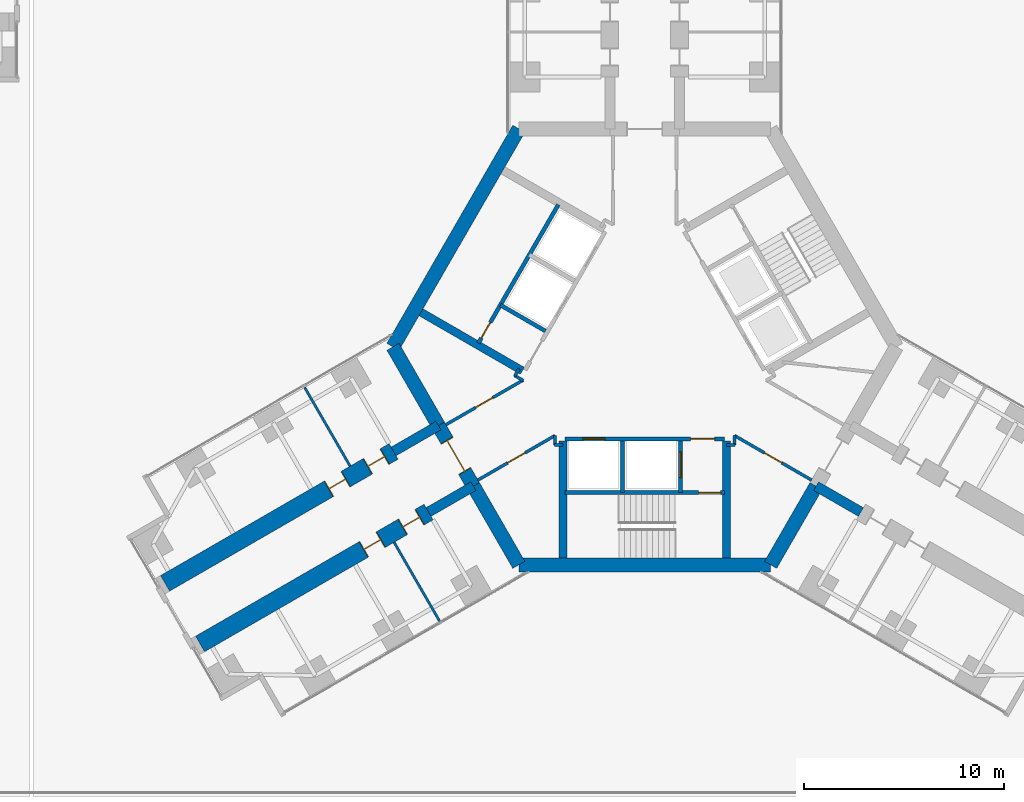
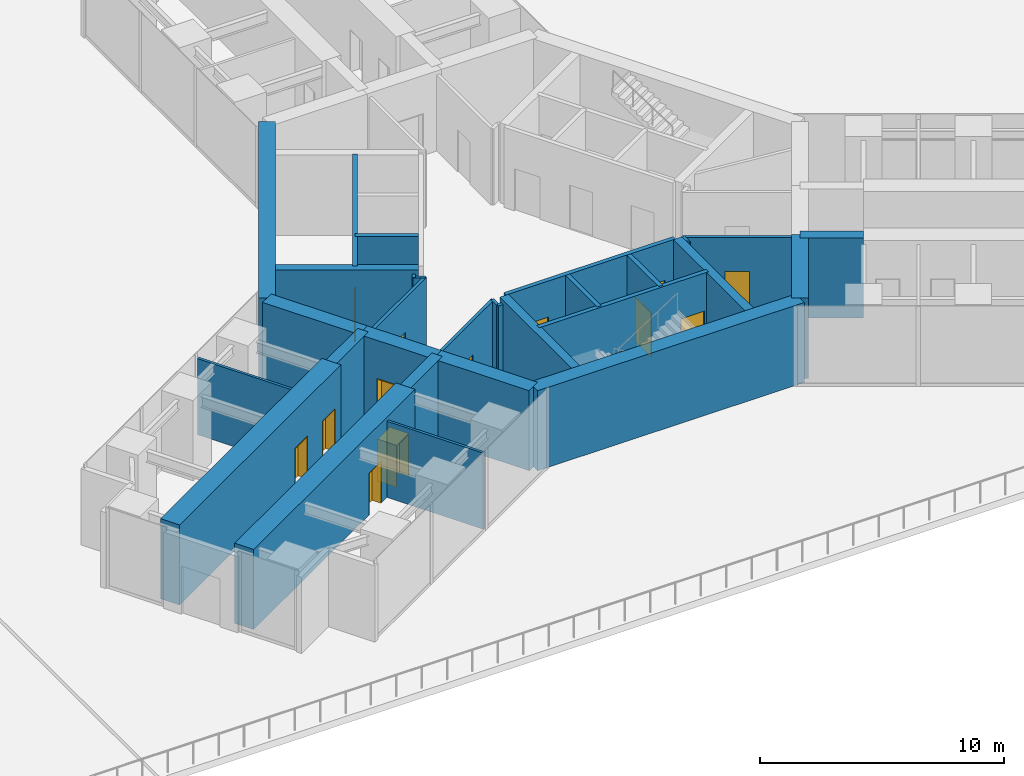
# One storey, part 16 of 23: 31 walls, 13 doors, 13 openings.
"""IFC4 building model written with IfcOpenShell, lengths in metres."""

from ifc_helpers import new_model, si_unit, direction, frame, frame_2d, origin, place, context, subcontext, project, spatial, rectangle, extrude, material, layer, layer_set, type_object, element, fill, save


model = new_model("IFC4")

# Units and contexts
model_context = context("Model", 3, precision=1e-05, world=origin(), true_north=direction((0.0, 1.0)))
body_context = subcontext(model_context, "Body", "Model", "MODEL_VIEW")
ifc_project = project(units=[si_unit("LENGTHUNIT", "METRE"), si_unit("AREAUNIT", "SQUARE_METRE"), si_unit("VOLUMEUNIT", "CUBIC_METRE"), si_unit("PLANEANGLEUNIT", "RADIAN"), si_unit("MASSUNIT", "GRAM", prefix="KILO")], contexts=[model_context])

# Site, building, storey
site_placement = place(None, origin())
site = spatial("IfcSite", under=ifc_project, at=site_placement, CompositionType="ELEMENT")
building_placement = place(site_placement, origin())
building = spatial("IfcBuilding", under=site, at=building_placement, Name="Upepo Twin Towers", CompositionType="ELEMENT")
storey_placement = place(building_placement, frame((0.0, 0.0, 20.5)))
storey = spatial("IfcBuildingStorey", under=building, at=storey_placement, Name="L04", CompositionType="ELEMENT", Elevation=20.5)

# Walls
ifc_material_1 = material(Name="Concrete C60/75", Category="concrete")
ifc_layer_1 = layer(ifc_material_1, 0.5)
ifc_layer_set_1 = layer_set([ifc_layer_1], Name="Concrete C60/75")
wall_type_1 = type_object("IfcWallType", Name="Buttress wall 500 RC", PredefinedType="SHEAR", material=ifc_layer_set_1)
for number, where, z_axis, x_axis, name in (
    (1, (49.92822265625, -24.9697265625, 0.0), (0.0, 0.0, 1.0), (-0.866031863473, -0.499988811324, 0.0), "T2 wing B buttress wall L"),
    (2, (48.17822265625, -21.938720703125, 0.0), (0.0, 0.0, 1.0), (-0.866072649678, -0.499918158782, 0.0), "T2 wing B buttress wall R"),
    (3, (67.07177734375, -24.9697265625, 0.0), (0.0, 0.0, 1.0), (0.866031863473, -0.499988811324, 0.0), "T2 wing C buttress wall R"),
):
    element("IfcWall", number, at=place(storey_placement, frame(where, z_axis=z_axis, x_axis=x_axis)), inside=storey, type_object=wall_type_1, Name=name, PredefinedType="SHEAR", context=body_context, shape_type="SweptSolid", body=[
        extrude(rectangle(XDim=2.591796875, YDim=0.5, at=frame_2d((1.2958984375, 0.0))), origin(), (0.0, 0.0, 1.0), 4.0),
    ])

# Wall, openings, doors
ifc_material_2 = material(Name="Concrete C60/75", Category="concrete")
ifc_layer_2 = layer(ifc_material_2, 0.89990234375)
ifc_layer_set_2 = layer_set([ifc_layer_2], Name="Concrete C60/75")
wall_type_2 = type_object("IfcWallType", Name="Buttress wall 900 RC", PredefinedType="SHEAR", material=ifc_layer_set_2)
wall_1_placement = place(storey_placement, frame((47.68359375, -26.265625, 0.0), z_axis=(0.0, 0.0, 1.0), x_axis=(-0.866027579429, -0.499996231654, 0.0)))
wall_1 = element("IfcWall", 4, at=wall_1_placement, inside=storey, type_object=wall_type_2, Name="T2 wing B buttress wall L part 2", PredefinedType="SHEAR", context=body_context, shape_type="SweptSolid", body=[
    extrude(rectangle(XDim=13.19970703125, YDim=0.89990234375, at=frame_2d((6.599853515625, 0.0))), origin(), (0.0, 0.0, 1.0), 4.0),
])
opening_1_placement = place(wall_1_placement, frame((0.5, 0.0, 0.0)))
opening_1 = element("IfcOpeningElement", 5, at=opening_1_placement, cuts=wall_1, Name="Opening D15", PredefinedType="OPENING", context=body_context, shape_type="SweptSolid", body=[
    extrude(rectangle(XDim=1.0, YDim=2.10009765625, at=frame_2d((0.5, 1.050048828125))), frame((0.0, 0.4599609375, 0.0), z_axis=(0.0, -1.0, 0.0), x_axis=(1.0, 0.0, 0.0)), (0.0, 0.0, 1.0), 0.919921875),
])
opening_2_placement = place(wall_1_placement, frame((2.75, 0.0, 0.0)))
opening_2 = element("IfcOpeningElement", 6, at=opening_2_placement, cuts=wall_1, Name="Opening D15", PredefinedType="OPENING", context=body_context, shape_type="SweptSolid", body=[
    extrude(rectangle(XDim=1.0, YDim=2.10009765625, at=frame_2d((0.5, 1.050048828125))), frame((0.0, 0.4599609375, 0.0), z_axis=(0.0, -1.0, 0.0), x_axis=(1.0, 0.0, 0.0)), (0.0, 0.0, 1.0), 0.919921875),
])
ifc_material_3 = material(Name="Timber doorset", Category="wood")
door_type_1 = type_object("IfcDoorType", Name="Glazed door 1000 FD30", OperationType="SINGLE_SWING_LEFT", PredefinedType="DOOR", material=ifc_material_3)
door_1_placement = place(opening_1_placement, origin())
door_1 = element("IfcDoor", 7, at=door_1_placement, inside=storey, type_object=door_type_1, Name="T2 L04 seminar room door", OperationType="SINGLE_SWING_LEFT", OverallHeight=2.10009765625, OverallWidth=1.0, PredefinedType="DOOR", context=body_context, shape_type="SweptSolid", body=[
    extrude(rectangle(XDim=0.92, YDim=2.06009765625, at=frame_2d((0.5, 1.030029296875))), frame((0.0, 0.02490234375, 0.0), z_axis=(0.0, -1.0, 0.0), x_axis=(1.0, 0.0, 0.0)), (0.0, 0.0, 1.0), 0.050048828125),
    extrude(rectangle(XDim=0.04, YDim=2.10009765625, at=frame_2d((0.02001953125, 1.050048828125))), frame((0.0, 0.44970703125, 0.0), z_axis=(0.0, -1.0, 0.0), x_axis=(1.0, 0.0, 0.0)), (0.0, 0.0, 1.0), 0.8994140625),
    extrude(rectangle(XDim=0.04, YDim=2.10009765625, at=frame_2d((0.97998046875, 1.050048828125))), frame((0.0, 0.44970703125, 0.0), z_axis=(0.0, -1.0, 0.0), x_axis=(1.0, 0.0, 0.0)), (0.0, 0.0, 1.0), 0.8994140625),
    extrude(rectangle(XDim=0.92, YDim=0.04, at=frame_2d((0.5, 2.080078125))), frame((0.0, 0.44970703125, 0.0), z_axis=(0.0, -1.0, 0.0), x_axis=(1.0, 0.0, 0.0)), (0.0, 0.0, 1.0), 0.8994140625),
])
fill(opening_1, door_1)
door_2_placement = place(opening_2_placement, origin())
door_2 = element("IfcDoor", 8, at=door_2_placement, inside=storey, type_object=door_type_1, Name="T2 L04 student sky lounge door", OperationType="SINGLE_SWING_LEFT", OverallHeight=2.10009765625, OverallWidth=1.0, PredefinedType="DOOR", context=body_context, shape_type="SweptSolid", body=[
    extrude(rectangle(XDim=0.92, YDim=2.06009765625, at=frame_2d((0.5, 1.030029296875))), frame((0.0, 0.02490234375, 0.0), z_axis=(0.0, -1.0, 0.0), x_axis=(1.0, 0.0, 0.0)), (0.0, 0.0, 1.0), 0.050048828125),
    extrude(rectangle(XDim=0.04, YDim=2.10009765625, at=frame_2d((0.02001953125, 1.050048828125))), frame((0.0, 0.44970703125, 0.0), z_axis=(0.0, -1.0, 0.0), x_axis=(1.0, 0.0, 0.0)), (0.0, 0.0, 1.0), 0.8994140625),
    extrude(rectangle(XDim=0.04, YDim=2.10009765625, at=frame_2d((0.97998046875, 1.050048828125))), frame((0.0, 0.44970703125, 0.0), z_axis=(0.0, -1.0, 0.0), x_axis=(1.0, 0.0, 0.0)), (0.0, 0.0, 1.0), 0.8994140625),
    extrude(rectangle(XDim=0.92, YDim=0.04, at=frame_2d((0.5, 2.080078125))), frame((0.0, 0.44970703125, 0.0), z_axis=(0.0, -1.0, 0.0), x_axis=(1.0, 0.0, 0.0)), (0.0, 0.0, 1.0), 0.8994140625),
])
fill(opening_2, door_2)

wall_2_placement = place(storey_placement, frame((45.93359375, -23.234375, 0.0), z_axis=(0.0, 0.0, 1.0), x_axis=(-0.866019570528, -0.500010103361, 0.0)))
wall_2 = element("IfcWall", 9, at=wall_2_placement, inside=storey, type_object=wall_type_2, Name="T2 wing B buttress wall R part 2", PredefinedType="SHEAR", context=body_context, shape_type="SweptSolid", body=[
    extrude(rectangle(XDim=13.199951171875, YDim=0.89990234375, at=frame_2d((6.60009765625, 0.0))), origin(), (0.0, 0.0, 1.0), 4.0),
])
opening_3_placement = place(wall_2_placement, frame((0.5, 0.0, 0.0)))
opening_3 = element("IfcOpeningElement", 10, at=opening_3_placement, cuts=wall_2, Name="Opening D15", PredefinedType="OPENING", context=body_context, shape_type="SweptSolid", body=[
    extrude(rectangle(XDim=1.0, YDim=2.10009765625, at=frame_2d((0.5, 1.050048828125))), frame((0.0, 0.4599609375, 0.0), z_axis=(0.0, -1.0, 0.0), x_axis=(1.0, 0.0, 0.0)), (0.0, 0.0, 1.0), 0.919921875),
])
opening_4_placement = place(wall_2_placement, frame((2.75, 0.0, 0.0)))
opening_4 = element("IfcOpeningElement", 11, at=opening_4_placement, cuts=wall_2, Name="Opening D15", PredefinedType="OPENING", context=body_context, shape_type="SweptSolid", body=[
    extrude(rectangle(XDim=1.0, YDim=2.10009765625, at=frame_2d((0.5, 1.050048828125))), frame((0.0, 0.4599609375, 0.0), z_axis=(0.0, -1.0, 0.0), x_axis=(1.0, 0.0, 0.0)), (0.0, 0.0, 1.0), 0.919921875),
])
door_3_placement = place(opening_3_placement, origin())
door_3 = element("IfcDoor", 12, at=door_3_placement, inside=storey, type_object=door_type_1, Name="T2 L04 seminar room door", OperationType="SINGLE_SWING_LEFT", OverallHeight=2.10009765625, OverallWidth=1.0, PredefinedType="DOOR", context=body_context, shape_type="SweptSolid", body=[
    extrude(rectangle(XDim=0.92, YDim=2.06009765625, at=frame_2d((0.5, 1.030029296875))), frame((0.0, 0.02490234375, 0.0), z_axis=(0.0, -1.0, 0.0), x_axis=(1.0, 0.0, 0.0)), (0.0, 0.0, 1.0), 0.050048828125),
    extrude(rectangle(XDim=0.04, YDim=2.10009765625, at=frame_2d((0.02001953125, 1.050048828125))), frame((0.0, 0.44970703125, 0.0), z_axis=(0.0, -1.0, 0.0), x_axis=(1.0, 0.0, 0.0)), (0.0, 0.0, 1.0), 0.8994140625),
    extrude(rectangle(XDim=0.04, YDim=2.10009765625, at=frame_2d((0.97998046875, 1.050048828125))), frame((0.0, 0.44970703125, 0.0), z_axis=(0.0, -1.0, 0.0), x_axis=(1.0, 0.0, 0.0)), (0.0, 0.0, 1.0), 0.8994140625),
    extrude(rectangle(XDim=0.92, YDim=0.04, at=frame_2d((0.5, 2.080078125))), frame((0.0, 0.44970703125, 0.0), z_axis=(0.0, -1.0, 0.0), x_axis=(1.0, 0.0, 0.0)), (0.0, 0.0, 1.0), 0.8994140625),
])
fill(opening_3, door_3)
door_4_placement = place(opening_4_placement, origin())
door_4 = element("IfcDoor", 13, at=door_4_placement, inside=storey, type_object=door_type_1, Name="T2 L04 student sky lounge door", OperationType="SINGLE_SWING_LEFT", OverallHeight=2.10009765625, OverallWidth=1.0, PredefinedType="DOOR", context=body_context, shape_type="SweptSolid", body=[
    extrude(rectangle(XDim=0.92, YDim=2.06009765625, at=frame_2d((0.5, 1.030029296875))), frame((0.0, 0.02490234375, 0.0), z_axis=(0.0, -1.0, 0.0), x_axis=(1.0, 0.0, 0.0)), (0.0, 0.0, 1.0), 0.050048828125),
    extrude(rectangle(XDim=0.04, YDim=2.10009765625, at=frame_2d((0.02001953125, 1.050048828125))), frame((0.0, 0.44970703125, 0.0), z_axis=(0.0, -1.0, 0.0), x_axis=(1.0, 0.0, 0.0)), (0.0, 0.0, 1.0), 0.8994140625),
    extrude(rectangle(XDim=0.04, YDim=2.10009765625, at=frame_2d((0.97998046875, 1.050048828125))), frame((0.0, 0.44970703125, 0.0), z_axis=(0.0, -1.0, 0.0), x_axis=(1.0, 0.0, 0.0)), (0.0, 0.0, 1.0), 0.8994140625),
    extrude(rectangle(XDim=0.92, YDim=0.04, at=frame_2d((0.5, 2.080078125))), frame((0.0, 0.44970703125, 0.0), z_axis=(0.0, -1.0, 0.0), x_axis=(1.0, 0.0, 0.0)), (0.0, 0.0, 1.0), 0.8994140625),
])
fill(opening_4, door_4)

# Walls
ifc_material_4 = material(Name="Concrete C60/75", Category="concrete")
ifc_layer_3 = layer(ifc_material_4, 0.699951171875)
ifc_layer_set_3 = layer_set([ifc_layer_3], Name="Concrete C60/75")
wall_type_3 = type_object("IfcWallType", Name="Core wall 700 RC", PredefinedType="SHEAR", material=ifc_layer_set_3)
wall_3_placement = place(storey_placement, frame((52.2021484375, -7.091552734375, 0.0), z_axis=(0.0, 0.0, 1.0), x_axis=(-0.500005998175, -0.866021940709, 0.0)))
element("IfcWall", 14, at=wall_3_placement, inside=storey, type_object=wall_type_3, Name="T2 core wall 060", PredefinedType="SHEAR", context=body_context, shape_type="SweptSolid", body=[
    extrude(rectangle(XDim=12.595947265625, YDim=0.699951171875, at=frame_2d((6.2978515625, 0.0))), origin(), (0.0, 0.0, 1.0), 4.0),
])
wall_4_placement = place(storey_placement, frame((45.904052734375, -18.0, 0.0), z_axis=(0.0, 0.0, 1.0), x_axis=(0.500024481964, -0.866011268655, 0.0)))
element("IfcWall", 15, at=wall_4_placement, inside=storey, type_object=wall_type_3, Name="T2 core wall 120 R", PredefinedType="SHEAR", context=body_context, shape_type="SweptSolid", body=[
    extrude(rectangle(XDim=4.548095703125, YDim=0.699951171875, at=frame_2d((2.27392578125, 0.0))), origin(), (0.0, 0.0, 1.0), 4.0),
])

# Wall, opening, door
wall_5_placement = place(storey_placement, frame((48.17822265625, -21.938720703125, 0.0), z_axis=(0.0, 0.0, 1.0), x_axis=(0.500010275428, -0.866019471182, 0.0)))
wall_5 = element("IfcWall", 16, at=wall_5_placement, inside=storey, type_object=wall_type_3, Name="T2 core wall 120", PredefinedType="SHEAR", context=body_context, shape_type="SweptSolid", body=[
    extrude(rectangle(XDim=3.5, YDim=0.699951171875, at=frame_2d((1.75, 0.0))), origin(), (0.0, 0.0, 1.0), 4.0),
])
opening_5_placement = place(wall_5_placement, frame((0.85009765625, 0.0, 0.0)))
opening_5 = element("IfcOpeningElement", 17, at=opening_5_placement, cuts=wall_5, Name="Opening D2", PredefinedType="OPENING", context=body_context, shape_type="SweptSolid", body=[
    extrude(rectangle(XDim=1.800048828125, YDim=2.10009765625, at=frame_2d((0.89990234375, 1.050048828125))), frame((0.0, 0.35986328125, 0.0), z_axis=(0.0, -1.0, 0.0), x_axis=(1.0, 0.0, 0.0)), (0.0, 0.0, 1.0), 0.719970703125),
])
ifc_material_5 = material(Name="Timber doorset", Category="wood")
door_type_2 = type_object("IfcDoorType", Name="Corridor double door 1800 FD60", OperationType="DOUBLE_DOOR_DOUBLE_SWING", PredefinedType="DOOR", material=ifc_material_5)
door_5_placement = place(opening_5_placement, origin())
door_5 = element("IfcDoor", 18, at=door_5_placement, inside=storey, type_object=door_type_2, Name="T2 L04 wing B corridor door", OperationType="DOUBLE_DOOR_DOUBLE_SWING", OverallHeight=2.10009765625, OverallWidth=1.800048828125, PredefinedType="DOOR", context=body_context, shape_type="SweptSolid", body=[
    extrude(rectangle(XDim=1.720048828125, YDim=2.06009765625, at=frame_2d((0.89990234375, 1.030029296875))), frame((0.0, 0.02490234375, 0.0), z_axis=(0.0, -1.0, 0.0), x_axis=(1.0, 0.0, 0.0)), (0.0, 0.0, 1.0), 0.050048828125),
    extrude(rectangle(XDim=0.04, YDim=2.10009765625, at=frame_2d((0.02001953125, 1.050048828125))), frame((0.0, 0.349609375, 0.0), z_axis=(0.0, -1.0, 0.0), x_axis=(1.0, 0.0, 0.0)), (0.0, 0.0, 1.0), 0.699462890625),
    extrude(rectangle(XDim=0.04, YDim=2.10009765625, at=frame_2d((1.780029296875, 1.050048828125))), frame((0.0, 0.349609375, 0.0), z_axis=(0.0, -1.0, 0.0), x_axis=(1.0, 0.0, 0.0)), (0.0, 0.0, 1.0), 0.699462890625),
    extrude(rectangle(XDim=1.720048828125, YDim=0.04, at=frame_2d((0.89990234375, 2.080078125))), frame((0.0, 0.349609375, 0.0), z_axis=(0.0, -1.0, 0.0), x_axis=(1.0, 0.0, 0.0)), (0.0, 0.0, 1.0), 0.699462890625),
])
fill(opening_5, door_5)

# Walls
wall_6_placement = place(storey_placement, frame((49.92822265625, -24.9697265625, 0.0), z_axis=(0.0, 0.0, 1.0), x_axis=(0.499984222037, -0.866034513004, 0.0)))
element("IfcWall", 19, at=wall_6_placement, inside=storey, type_object=wall_type_3, Name="T2 core wall 120 L", PredefinedType="SHEAR", context=body_context, shape_type="SweptSolid", body=[
    extrude(rectangle(XDim=4.548095703125, YDim=0.699951171875, at=frame_2d((2.27392578125, 0.0))), origin(), (0.0, 0.0, 1.0), 4.0),
])
wall_7_placement = place(storey_placement, frame((52.2021484375, -28.908447265625, 0.0), z_axis=(0.0, 0.0, 1.0), x_axis=(1.0, 0.0, 0.0)))
element("IfcWall", 20, at=wall_7_placement, inside=storey, type_object=wall_type_3, Name="T2 core wall 180", PredefinedType="SHEAR", context=body_context, shape_type="SweptSolid", body=[
    extrude(rectangle(XDim=12.595703125, YDim=0.699951171875, at=frame_2d((6.2978515625, 0.0))), origin(), (0.0, 0.0, 1.0), 4.0),
])
wall_8_placement = place(storey_placement, frame((64.7978515625, -28.908447265625, 0.0), z_axis=(0.0, 0.0, 1.0), x_axis=(0.499984222037, 0.866034513004, 0.0)))
element("IfcWall", 21, at=wall_8_placement, inside=storey, type_object=wall_type_3, Name="T2 core wall 240 R", PredefinedType="SHEAR", context=body_context, shape_type="SweptSolid", body=[
    extrude(rectangle(XDim=4.548095703125, YDim=0.699951171875, at=frame_2d((2.27392578125, 0.0))), origin(), (0.0, 0.0, 1.0), 4.0),
])
ifc_material_6 = material(Name="Laminated glass in an aluminium frame", Category="aluminium")
ifc_layer_4 = layer(ifc_material_6, 0.1201171875)
ifc_layer_set_4 = layer_set([ifc_layer_4], Name="Glazed partition 120, aluminium framed")
wall_type_4 = type_object("IfcWallType", Name="Glazed partition 120, aluminium framed", PredefinedType="PARTITIONING", material=ifc_layer_set_4)
for number, where, z_axis, x_axis, name in (
    (22, (45.960205078125, -27.7802734375, 0.0), (0.0, 0.0, 1.0), (0.499982560684, -0.866035472144, 0.0), "T2 partition BL at 15.75"),
    (23, (43.760009765625, -23.9697265625, 0.0), (0.0, 0.0, 1.0), (-0.499982560684, 0.866035472144, 0.0), "T2 partition BR at 15.75"),
):
    element("IfcWall", number, at=place(storey_placement, frame(where, z_axis=z_axis, x_axis=x_axis)), inside=storey, type_object=wall_type_4, Name=name, PredefinedType="PARTITIONING", context=body_context, shape_type="SweptSolid", body=[
        extrude(rectangle(XDim=4.550048828125, YDim=0.1201171875, at=frame_2d((2.27490234375, 0.0))), origin(), (0.0, 0.0, 1.0), 3.800048828125),
    ])
ifc_material_7 = material(Name="Concrete C40/50", Category="concrete")
ifc_layer_5 = layer(ifc_material_7, 0.199951171875)
ifc_layer_set_5 = layer_set([ifc_layer_5], Name="Concrete C40/50")
wall_type_5 = type_object("IfcWallType", Name="Shaft wall 200 RC", PredefinedType="SHEAR", material=ifc_layer_set_5)
wall_9_placement = place(storey_placement, frame((53.52978515625, -17.208740234375, 0.0), z_axis=(0.0, 0.0, 1.0), x_axis=(-0.866062058628, 0.499936506574, 0.0)))
element("IfcWall", 24, at=wall_9_placement, inside=storey, type_object=wall_type_5, Name="T2 core W60 lobby wall", PredefinedType="SHEAR", context=body_context, shape_type="SweptSolid", body=[
    extrude(rectangle(XDim=2.599853515625, YDim=0.199951171875, at=frame_2d((1.2998046875, 0.0))), origin(), (0.0, 0.0, 1.0), 4.0),
])

# Wall, opening, door
wall_10_placement = place(storey_placement, frame((54.177978515625, -10.885986328125, 0.0), z_axis=(0.0, 0.0, 1.0), x_axis=(-0.49999894854, -0.866026010844, 0.0)))
wall_10 = element("IfcWall", 25, at=wall_10_placement, inside=storey, type_object=wall_type_5, Name="T2 core W60 stair wall", PredefinedType="SHEAR", context=body_context, shape_type="SweptSolid", body=[
    extrude(rectangle(XDim=8.0, YDim=0.199951171875, at=frame_2d((4.0, 0.0))), origin(), (0.0, 0.0, 1.0), 4.0),
])
opening_6_placement = place(wall_10_placement, frame((6.800048828125, 0.0, 0.0)))
opening_6 = element("IfcOpeningElement", 26, at=opening_6_placement, cuts=wall_10, Name="Opening D9", PredefinedType="OPENING", context=body_context, shape_type="SweptSolid", body=[
    extrude(rectangle(XDim=0.89990234375, YDim=2.10009765625, at=frame_2d((0.449951171875, 1.050048828125))), frame((0.0, 0.10986328125, 0.0), z_axis=(0.0, -1.0, 0.0), x_axis=(1.0, 0.0, 0.0)), (0.0, 0.0, 1.0), 0.219970703125),
])
ifc_material_8 = material(Name="Timber doorset", Category="wood")
door_type_3 = type_object("IfcDoorType", Name="Riser door 900 FD60", OperationType="SINGLE_SWING_LEFT", PredefinedType="DOOR", material=ifc_material_8)
door_6_placement = place(opening_6_placement, origin())
door_6 = element("IfcDoor", 27, at=door_6_placement, inside=storey, type_object=door_type_3, Name="T2 L04 riser door", OperationType="SINGLE_SWING_RIGHT", OverallHeight=2.10009765625, OverallWidth=0.89990234375, PredefinedType="DOOR", context=body_context, shape_type="SweptSolid", body=[
    extrude(rectangle(XDim=0.89990234375, YDim=2.10009765625, at=frame_2d((0.449951171875, 1.050048828125))), frame((0.0, 0.02490234375, 0.0), z_axis=(0.0, -1.0, 0.0), x_axis=(1.0, 0.0, 0.0)), (0.0, 0.0, 1.0), 0.050048828125),
])
fill(opening_6, door_6)

# Wall, openings, doors
wall_11_placement = place(storey_placement, frame((54.5, -22.60009765625, 0.0), z_axis=(0.0, 0.0, 1.0), x_axis=(1.0, 0.0, 0.0)))
wall_11 = element("IfcWall", 28, at=wall_11_placement, inside=storey, type_object=wall_type_5, Name="T2 core W180 front wall", PredefinedType="SHEAR", context=body_context, shape_type="SweptSolid", body=[
    extrude(rectangle(XDim=8.0, YDim=0.199951171875, at=frame_2d((4.0, 0.0))), origin(), (0.0, 0.0, 1.0), 4.0),
])
opening_7_placement = place(wall_11_placement, frame((6.300048828125, 0.0, 0.0)))
opening_7 = element("IfcOpeningElement", 29, at=opening_7_placement, cuts=wall_11, Name="Opening D4", PredefinedType="OPENING", context=body_context, shape_type="SweptSolid", body=[
    extrude(rectangle(XDim=1.199951171875, YDim=2.10009765625, at=frame_2d((0.60009765625, 1.050048828125))), frame((0.0, 0.10986328125, 0.0), z_axis=(0.0, -1.0, 0.0), x_axis=(1.0, 0.0, 0.0)), (0.0, 0.0, 1.0), 0.219970703125),
])
opening_8_placement = place(wall_11_placement, frame((0.89990234375, 0.0, 0.0)))
opening_8 = element("IfcOpeningElement", 30, at=opening_8_placement, cuts=wall_11, Name="Opening LD1", PredefinedType="OPENING", context=body_context, shape_type="SweptSolid", body=[
    extrude(rectangle(XDim=1.10009765625, YDim=2.199951171875, at=frame_2d((0.550048828125, 1.10009765625))), frame((0.0, 0.10986328125, 0.0), z_axis=(0.0, -1.0, 0.0), x_axis=(1.0, 0.0, 0.0)), (0.0, 0.0, 1.0), 0.219970703125),
])
ifc_material_9 = material(Name="Steel doorset", Category="steel")
door_type_4 = type_object("IfcDoorType", Name="Lift landing door 1100", OperationType="DOUBLE_DOOR_SLIDING", PredefinedType="DOOR", material=ifc_material_9)
door_7_placement = place(opening_8_placement, origin())
door_7 = element("IfcDoor", 31, at=door_7_placement, inside=storey, type_object=door_type_4, Name="T2 L04 lift SV1 landing door", OperationType="DOUBLE_DOOR_SLIDING", OverallHeight=2.199951171875, OverallWidth=1.10009765625, PredefinedType="DOOR", context=body_context, shape_type="SweptSolid", body=[
    extrude(rectangle(XDim=1.10009765625, YDim=2.199951171875, at=frame_2d((0.550048828125, 1.10009765625))), frame((0.0, 0.02490234375, 0.0), z_axis=(0.0, -1.0, 0.0), x_axis=(1.0, 0.0, 0.0)), (0.0, 0.0, 1.0), 0.050048828125),
])
fill(opening_8, door_7)
ifc_material_10 = material(Name="Timber doorset", Category="wood")
door_type_5 = type_object("IfcDoorType", Name="Lobby door 1200 FD60", OperationType="SINGLE_SWING_LEFT", PredefinedType="DOOR", material=ifc_material_10)
door_8_placement = place(opening_7_placement, origin())
door_8 = element("IfcDoor", 32, at=door_8_placement, inside=storey, type_object=door_type_5, Name="T2 L04 W180 lobby door", OperationType="SINGLE_SWING_RIGHT", OverallHeight=2.10009765625, OverallWidth=1.199951171875, PredefinedType="DOOR", context=body_context, shape_type="SweptSolid", body=[
    extrude(rectangle(XDim=1.199951171875, YDim=2.10009765625, at=frame_2d((0.60009765625, 1.050048828125))), frame((0.0, 0.02490234375, 0.0), z_axis=(0.0, -1.0, 0.0), x_axis=(1.0, 0.0, 0.0)), (0.0, 0.0, 1.0), 0.050048828125),
])
fill(opening_7, door_8)

# Wall
wall_12_placement = place(storey_placement, frame((57.39990234375, -22.699951171875, 0.0), z_axis=(0.0, 0.0, 1.0), x_axis=(0.0, -1.0, 0.0)))
element("IfcWall", 33, at=wall_12_placement, inside=storey, type_object=wall_type_5, Name="T2 core W180 shaft divider", PredefinedType="SHEAR", context=body_context, shape_type="SweptSolid", body=[
    extrude(rectangle(XDim=2.60009765625, YDim=0.199951171875, at=frame_2d((1.300048828125, 0.0))), origin(), (0.0, 0.0, 1.0), 4.0),
])

# Wall, opening, door
wall_13_placement = place(storey_placement, frame((60.300048828125, -22.699951171875, 0.0), z_axis=(0.0, 0.0, 1.0), x_axis=(0.0, -1.0, 0.0)))
wall_13 = element("IfcWall", 34, at=wall_13_placement, inside=storey, type_object=wall_type_5, Name="T2 core W180 lobby wall", PredefinedType="SHEAR", context=body_context, shape_type="SweptSolid", body=[
    extrude(rectangle(XDim=2.60009765625, YDim=0.199951171875, at=frame_2d((1.300048828125, 0.0))), origin(), (0.0, 0.0, 1.0), 4.0),
])
opening_9_placement = place(wall_13_placement, frame((0.550048828125, 0.0, 0.0)))
opening_9 = element("IfcOpeningElement", 35, at=opening_9_placement, cuts=wall_13, Name="Opening LD2", PredefinedType="OPENING", context=body_context, shape_type="SweptSolid", body=[
    extrude(rectangle(XDim=1.300048828125, YDim=2.199951171875, at=frame_2d((0.64990234375, 1.10009765625))), frame((0.0, 0.10986328125, 0.0), z_axis=(0.0, -1.0, 0.0), x_axis=(1.0, 0.0, 0.0)), (0.0, 0.0, 1.0), 0.219970703125),
])
ifc_material_11 = material(Name="Steel doorset", Category="steel")
door_type_6 = type_object("IfcDoorType", Name="Firefighting lift landing door 1300", OperationType="DOUBLE_DOOR_SLIDING", PredefinedType="DOOR", material=ifc_material_11)
door_9_placement = place(opening_9_placement, origin())
door_9 = element("IfcDoor", 36, at=door_9_placement, inside=storey, type_object=door_type_6, Name="T2 L04 firefighting lift landing door", OperationType="DOUBLE_DOOR_SLIDING", OverallHeight=2.199951171875, OverallWidth=1.300048828125, PredefinedType="DOOR", context=body_context, shape_type="SweptSolid", body=[
    extrude(rectangle(XDim=1.300048828125, YDim=2.199951171875, at=frame_2d((0.64990234375, 1.10009765625))), frame((0.0, 0.02490234375, 0.0), z_axis=(0.0, -1.0, 0.0), x_axis=(1.0, 0.0, 0.0)), (0.0, 0.0, 1.0), 0.050048828125),
])
fill(opening_9, door_9)

wall_14_placement = place(storey_placement, frame((54.5, -25.300048828125, 0.0), z_axis=(0.0, 0.0, 1.0), x_axis=(1.0, 0.0, 0.0)))
wall_14 = element("IfcWall", 37, at=wall_14_placement, inside=storey, type_object=wall_type_5, Name="T2 core W180 stair wall", PredefinedType="SHEAR", context=body_context, shape_type="SweptSolid", body=[
    extrude(rectangle(XDim=8.0, YDim=0.199951171875, at=frame_2d((4.0, 0.0))), origin(), (0.0, 0.0, 1.0), 4.0),
])
opening_10_placement = place(wall_14_placement, frame((6.699951171875, 0.0, 0.0)))
opening_10 = element("IfcOpeningElement", 38, at=opening_10_placement, cuts=wall_14, Name="Opening D3", PredefinedType="OPENING", context=body_context, shape_type="SweptSolid", body=[
    extrude(rectangle(XDim=1.10009765625, YDim=2.10009765625, at=frame_2d((0.550048828125, 1.050048828125))), frame((0.0, 0.10986328125, 0.0), z_axis=(0.0, -1.0, 0.0), x_axis=(1.0, 0.0, 0.0)), (0.0, 0.0, 1.0), 0.219970703125),
])
ifc_material_12 = material(Name="Timber doorset", Category="wood")
door_type_7 = type_object("IfcDoorType", Name="Stair door 1100 FD60", OperationType="SINGLE_SWING_LEFT", PredefinedType="DOOR", material=ifc_material_12)
door_10_placement = place(opening_10_placement, origin())
door_10 = element("IfcDoor", 39, at=door_10_placement, inside=storey, type_object=door_type_7, Name="T2 L04 stair door", OperationType="SINGLE_SWING_RIGHT", OverallHeight=2.10009765625, OverallWidth=1.10009765625, PredefinedType="DOOR", context=body_context, shape_type="SweptSolid", body=[
    extrude(rectangle(XDim=1.10009765625, YDim=2.10009765625, at=frame_2d((0.550048828125, 1.050048828125))), frame((0.0, 0.02490234375, 0.0), z_axis=(0.0, -1.0, 0.0), x_axis=(1.0, 0.0, 0.0)), (0.0, 0.0, 1.0), 0.050048828125),
])
fill(opening_10, door_10)

# Walls
ifc_material_13 = material(Name="Concrete C40/50", Category="concrete")
ifc_layer_6 = layer(ifc_material_13, 0.39990234375)
ifc_layer_set_6 = layer_set([ifc_layer_6], Name="Concrete C40/50")
wall_type_6 = type_object("IfcWallType", Name="Shaft wall 400 RC", PredefinedType="SHEAR", material=ifc_layer_set_6)
for number, where, z_axis, x_axis, name in (
    (40, (52.379638671875, -19.20068359375, 0.0), (0.0, 0.0, 1.0), (-0.866023886965, 0.500002627198, 0.0), "T2 core W60 side wall N"),
    (41, (62.60009765625, -22.699951171875, 0.0), (0.0, 0.0, 1.0), (0.0, -1.0, 0.0), "T2 core W180 side wall N"),
    (42, (54.39990234375, -22.699951171875, 0.0), (0.0, 0.0, 1.0), (0.0, -1.0, 0.0), "T2 core W180 side wall S"),
):
    element("IfcWall", number, at=place(storey_placement, frame(where, z_axis=z_axis, x_axis=x_axis)), inside=storey, type_object=wall_type_6, Name=name, PredefinedType="SHEAR", context=body_context, shape_type="SweptSolid", body=[
        extrude(rectangle(XDim=5.8583984375, YDim=0.39990234375, at=frame_2d((2.92919921875, 0.0))), origin(), (0.0, 0.0, 1.0), 4.0),
    ])
ifc_material_14 = material(Name="Gypsum board on steel studs", Category="steel")
ifc_layer_7 = layer(ifc_material_14, 0.14990234375)
ifc_layer_set_7 = layer_set([ifc_layer_7], Name="Teaching partition 150 acoustic")
wall_type_7 = type_object("IfcWallType", Name="Teaching partition 150 acoustic", PredefinedType="PARTITIONING", material=ifc_layer_set_7)
wall_15_placement = place(storey_placement, frame((54.0, -22.919921875, 0.0), z_axis=(0.0, 0.0, 1.0), x_axis=(0.0, 1.0, 0.0)))
element("IfcWall", 43, at=wall_15_placement, inside=storey, type_object=wall_type_7, Name="T2 core room partition 1", PredefinedType="PARTITIONING", context=body_context, shape_type="SweptSolid", body=[
    extrude(rectangle(XDim=0.494384765625, YDim=0.14990234375, at=frame_2d((0.2470703125, 0.0))), origin(), (0.0, 0.0, 1.0), 3.800048828125),
])

# Wall, opening, door
wall_16_placement = place(storey_placement, frame((54.017333984375, -22.435546875, 0.0), z_axis=(0.0, 0.0, 1.0), x_axis=(-0.866015446554, -0.500017246033, 0.0)))
wall_16 = element("IfcWall", 44, at=wall_16_placement, inside=storey, type_object=wall_type_7, Name="T2 core room partition 2", PredefinedType="PARTITIONING", context=body_context, shape_type="SweptSolid", body=[
    extrude(rectangle(XDim=4.468505859375, YDim=0.14990234375, at=frame_2d((2.234375, 0.0))), origin(), (0.0, 0.0, 1.0), 3.800048828125),
])
opening_11_placement = place(wall_16_placement, frame((1.744384765625, 0.0, 0.0)))
opening_11 = element("IfcOpeningElement", 45, at=opening_11_placement, cuts=wall_16, Name="Opening D1", PredefinedType="OPENING", context=body_context, shape_type="SweptSolid", body=[
    extrude(rectangle(XDim=1.0, YDim=2.10009765625, at=frame_2d((0.5, 1.050048828125))), frame((0.0, 0.0849609375, 0.0), z_axis=(0.0, -1.0, 0.0), x_axis=(1.0, 0.0, 0.0)), (0.0, 0.0, 1.0), 0.169921875),
])
ifc_material_15 = material(Name="Timber doorset", Category="wood")
door_type_8 = type_object("IfcDoorType", Name="Room door 1000 FD30", OperationType="SINGLE_SWING_LEFT", PredefinedType="DOOR", material=ifc_material_15)
door_11_placement = place(opening_11_placement, origin())
door_11 = element("IfcDoor", 46, at=door_11_placement, inside=storey, type_object=door_type_8, Name="T2 L04 core room door K2", OperationType="SINGLE_SWING_RIGHT", OverallHeight=2.10009765625, OverallWidth=1.0, PredefinedType="DOOR", context=body_context, shape_type="SweptSolid", body=[
    extrude(rectangle(XDim=1.0, YDim=2.10009765625, at=frame_2d((0.5, 1.050048828125))), frame((0.0, 0.02490234375, 0.0), z_axis=(0.0, -1.0, 0.0), x_axis=(1.0, 0.0, 0.0)), (0.0, 0.0, 1.0), 0.050048828125),
])
fill(opening_11, door_11)

wall_17_placement = place(storey_placement, frame((48.547607421875, -21.8984375, 0.0), z_axis=(0.0, 0.0, 1.0), x_axis=(0.866025445582, 0.499999927604, 0.0)))
wall_17 = element("IfcWall", 47, at=wall_17_placement, inside=storey, type_object=wall_type_7, Name="T2 core room partition 3", PredefinedType="PARTITIONING", context=body_context, shape_type="SweptSolid", body=[
    extrude(rectangle(XDim=4.46826171875, YDim=0.14990234375, at=frame_2d((2.234130859375, 0.0))), origin(), (0.0, 0.0, 1.0), 3.800048828125),
])
opening_12_placement = place(wall_17_placement, frame((1.72412109375, 0.0, 0.0)))
opening_12 = element("IfcOpeningElement", 48, at=opening_12_placement, cuts=wall_17, Name="Opening D1", PredefinedType="OPENING", context=body_context, shape_type="SweptSolid", body=[
    extrude(rectangle(XDim=1.0, YDim=2.10009765625, at=frame_2d((0.5, 1.050048828125))), frame((0.0, 0.0849609375, 0.0), z_axis=(0.0, -1.0, 0.0), x_axis=(1.0, 0.0, 0.0)), (0.0, 0.0, 1.0), 0.169921875),
])
door_12_placement = place(opening_12_placement, origin())
door_12 = element("IfcDoor", 49, at=door_12_placement, inside=storey, type_object=door_type_8, Name="T2 L04 core room door K1", OperationType="SINGLE_SWING_LEFT", OverallHeight=2.10009765625, OverallWidth=1.0, PredefinedType="DOOR", context=body_context, shape_type="SweptSolid", body=[
    extrude(rectangle(XDim=1.0, YDim=2.10009765625, at=frame_2d((0.5, 1.050048828125))), frame((0.0, 0.02490234375, 0.0), z_axis=(0.0, -1.0, 0.0), x_axis=(1.0, 0.0, 0.0)), (0.0, 0.0, 1.0), 0.050048828125),
])
fill(opening_12, door_12)

# Walls
wall_18_placement = place(storey_placement, frame((52.417236328125, -19.684326171875, 0.0), z_axis=(0.0, 0.0, 1.0), x_axis=(-0.865831790172, 0.50033519877, 0.0)))
element("IfcWall", 50, at=wall_18_placement, inside=storey, type_object=wall_type_7, Name="T2 core room partition 4", PredefinedType="PARTITIONING", context=body_context, shape_type="SweptSolid", body=[
    extrude(rectangle(XDim=0.494384765625, YDim=0.14990234375, at=frame_2d((0.2470703125, 0.0))), origin(), (0.0, 0.0, 1.0), 3.800048828125),
])
wall_19_placement = place(storey_placement, frame((51.99658203125, -19.46435546875, 0.0), z_axis=(0.0, 0.0, 1.0), x_axis=(0.499804398801, 0.866138304741, 0.0)))
element("IfcWall", 51, at=wall_19_placement, inside=storey, type_object=wall_type_7, Name="T2 core room partition 5", PredefinedType="PARTITIONING", context=body_context, shape_type="SweptSolid", body=[
    extrude(rectangle(XDim=0.429931640625, YDim=0.14990234375, at=frame_2d((0.21484375, 0.0))), origin(), (0.0, 0.0, 1.0), 3.800048828125),
])

# Wall, opening, door
wall_20_placement = place(storey_placement, frame((66.8525390625, -24.669921875, 0.0), z_axis=(0.0, 0.0, 1.0), x_axis=(-0.866015446554, 0.500017246033, 0.0)))
wall_20 = element("IfcWall", 52, at=wall_20_placement, inside=storey, type_object=wall_type_7, Name="T2 core room partition 15", PredefinedType="PARTITIONING", context=body_context, shape_type="SweptSolid", body=[
    extrude(rectangle(XDim=4.468505859375, YDim=0.14990234375, at=frame_2d((2.234375, 0.0))), origin(), (0.0, 0.0, 1.0), 3.800048828125),
])
opening_13_placement = place(wall_20_placement, frame((1.72412109375, 0.0, 0.0)))
opening_13 = element("IfcOpeningElement", 53, at=opening_13_placement, cuts=wall_20, Name="Opening D1", PredefinedType="OPENING", context=body_context, shape_type="SweptSolid", body=[
    extrude(rectangle(XDim=1.0, YDim=2.10009765625, at=frame_2d((0.5, 1.050048828125))), frame((0.0, 0.0849609375, 0.0), z_axis=(0.0, -1.0, 0.0), x_axis=(1.0, 0.0, 0.0)), (0.0, 0.0, 1.0), 0.169921875),
])
door_13_placement = place(opening_13_placement, origin())
door_13 = element("IfcDoor", 54, at=door_13_placement, inside=storey, type_object=door_type_8, Name="T2 L04 core room door K3", OperationType="SINGLE_SWING_LEFT", OverallHeight=2.10009765625, OverallWidth=1.0, PredefinedType="DOOR", context=body_context, shape_type="SweptSolid", body=[
    extrude(rectangle(XDim=1.0, YDim=2.10009765625, at=frame_2d((0.5, 1.050048828125))), frame((0.0, 0.02490234375, 0.0), z_axis=(0.0, -1.0, 0.0), x_axis=(1.0, 0.0, 0.0)), (0.0, 0.0, 1.0), 0.050048828125),
])
fill(opening_13, door_13)

# Walls
wall_21_placement = place(storey_placement, frame((63.0, -22.425537109375, 0.0), z_axis=(0.0, 0.0, 1.0), x_axis=(0.0, -1.0, 0.0)))
element("IfcWall", 55, at=wall_21_placement, inside=storey, type_object=wall_type_7, Name="T2 core room partition 16", PredefinedType="PARTITIONING", context=body_context, shape_type="SweptSolid", body=[
    extrude(rectangle(XDim=0.494384765625, YDim=0.14990234375, at=frame_2d((0.2470703125, 0.0))), origin(), (0.0, 0.0, 1.0), 3.800048828125),
])
for number, where, z_axis, x_axis, name in (
    (56, (63.02001953125, -22.89990234375, 0.0), (0.0, 0.0, 1.0), (-1.0, 0.0, 0.0), "T2 core room partition 17"),
    (57, (54.409912109375, -22.89990234375, 0.0), (0.0, 0.0, 1.0), (-1.0, 0.0, 0.0), "T2 core room partition 18"),
):
    element("IfcWall", number, at=place(storey_placement, frame(where, z_axis=z_axis, x_axis=x_axis)), inside=storey, type_object=wall_type_7, Name=name, PredefinedType="PARTITIONING", context=body_context, shape_type="SweptSolid", body=[
        extrude(rectangle(XDim=0.429931640625, YDim=0.14990234375, at=frame_2d((0.21484375, 0.0))), origin(), (0.0, 0.0, 1.0), 3.800048828125),
    ])

save(model, "model.ifc")
